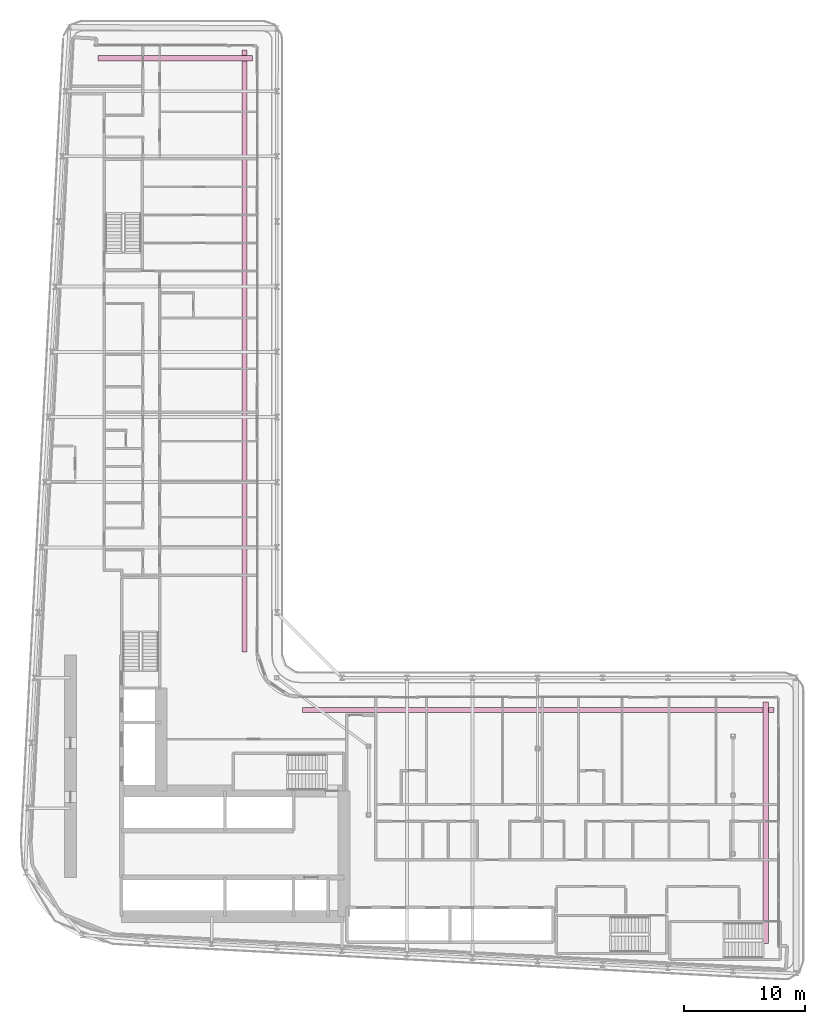
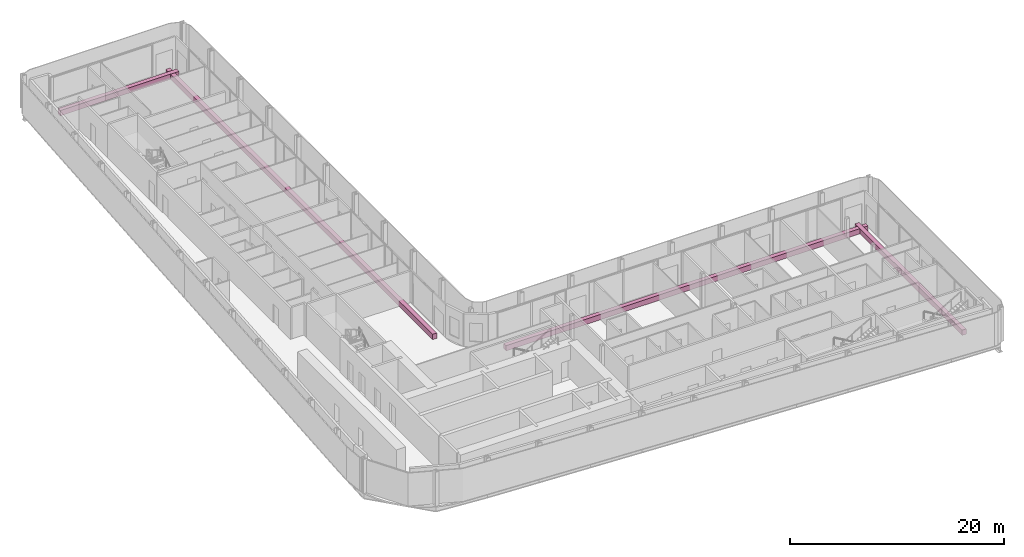
# One storey, part 25 of 25: 4 furniture elements.
"""IFC4 building model written with IfcOpenShell, lengths in metres."""

from ifc_helpers import new_model, si_unit, direction, frame, origin, origin_2d, place, context, subcontext, project, spatial, rectangle, extrude, material, type_object, element, save


model = new_model("IFC4")

# Units and contexts
model_context = context("Model", 3, precision=1e-05, world=origin(), true_north=direction((0.0, 1.0)))
body_context = subcontext(model_context, "Body", "Model", "MODEL_VIEW")
ifc_project = project(units=[si_unit("LENGTHUNIT", "METRE"), si_unit("AREAUNIT", "SQUARE_METRE"), si_unit("VOLUMEUNIT", "CUBIC_METRE"), si_unit("PLANEANGLEUNIT", "RADIAN"), si_unit("MASSUNIT", "GRAM", prefix="KILO")], contexts=[model_context])

# Site, building, storey
site_placement = place(None, origin())
site = spatial("IfcSite", under=ifc_project, at=site_placement, CompositionType="ELEMENT")
building_placement = place(site_placement, origin())
building = spatial("IfcBuilding", under=site, at=building_placement, Name="Kheshtan School and Residences Tower", CompositionType="ELEMENT")
storey_placement = place(building_placement, frame((0.0, 0.0, 34.39990234375)))
storey = spatial("IfcBuildingStorey", under=building, at=storey_placement, Name="L07", CompositionType="ELEMENT", Elevation=34.39990234375)

# Furniture
ifc_material = material(Name="Precast concrete C30/37 in terracotta finish", Category="masonry")
furniture_type = type_object("IfcFurnitureType", Name="Planter trough", AssemblyPlace="NOTDEFINED", PredefinedType="USERDEFINED", material=ifc_material)
furniture_1_placement = place(storey_placement, frame((39.196044921875, 96.925048828125, 0.0), z_axis=(0.0, 0.0, 1.0), x_axis=(1.0, 0.0, 0.0)))
element("IfcFurniture", 1, at=furniture_1_placement, inside=storey, type_object=furniture_type, Name="Planter L07", ObjectType="PLANTER", PredefinedType="USERDEFINED", context=body_context, shape_type="SweptSolid", body=[
    extrude(rectangle(XDim=12.80810546875, YDim=0.449951171875, at=origin_2d()), origin(), (0.0, 0.0, 1.0), 0.60009765625),
])
furniture_2_placement = place(storey_placement, frame((44.925048828125, 72.6650390625, 0.0), z_axis=(0.0, 0.0, 1.0), x_axis=(0.0, -1.0, 0.0)))
element("IfcFurniture", 2, at=furniture_2_placement, inside=storey, type_object=furniture_type, Name="Planter L07", ObjectType="PLANTER", PredefinedType="USERDEFINED", context=body_context, shape_type="SweptSolid", body=[
    extrude(rectangle(XDim=49.8701171875, YDim=0.449951171875, at=origin_2d()), origin(), (0.0, 0.0, 1.0), 0.60009765625),
])
furniture_3_placement = place(storey_placement, frame((69.264892578125, 42.925048828125, 0.0), z_axis=(0.0, 0.0, 1.0), x_axis=(1.0, 0.0, 0.0)))
element("IfcFurniture", 3, at=furniture_3_placement, inside=storey, type_object=furniture_type, Name="Planter L07", ObjectType="PLANTER", PredefinedType="USERDEFINED", context=body_context, shape_type="SweptSolid", body=[
    extrude(rectangle(XDim=39.070068359375, YDim=0.449951171875, at=origin_2d()), origin(), (0.0, 0.0, 1.0), 0.60009765625),
])
furniture_4_placement = place(storey_placement, frame((88.125, 33.591064453125, 0.0), z_axis=(0.0, 0.0, 1.0), x_axis=(0.0, -1.0, 0.0)))
element("IfcFurniture", 4, at=furniture_4_placement, inside=storey, type_object=furniture_type, Name="Planter L07", ObjectType="PLANTER", PredefinedType="USERDEFINED", context=body_context, shape_type="SweptSolid", body=[
    extrude(rectangle(XDim=20.01708984375, YDim=0.449951171875, at=origin_2d()), origin(), (0.0, 0.0, 1.0), 0.60009765625),
])

save(model, "model.ifc")
